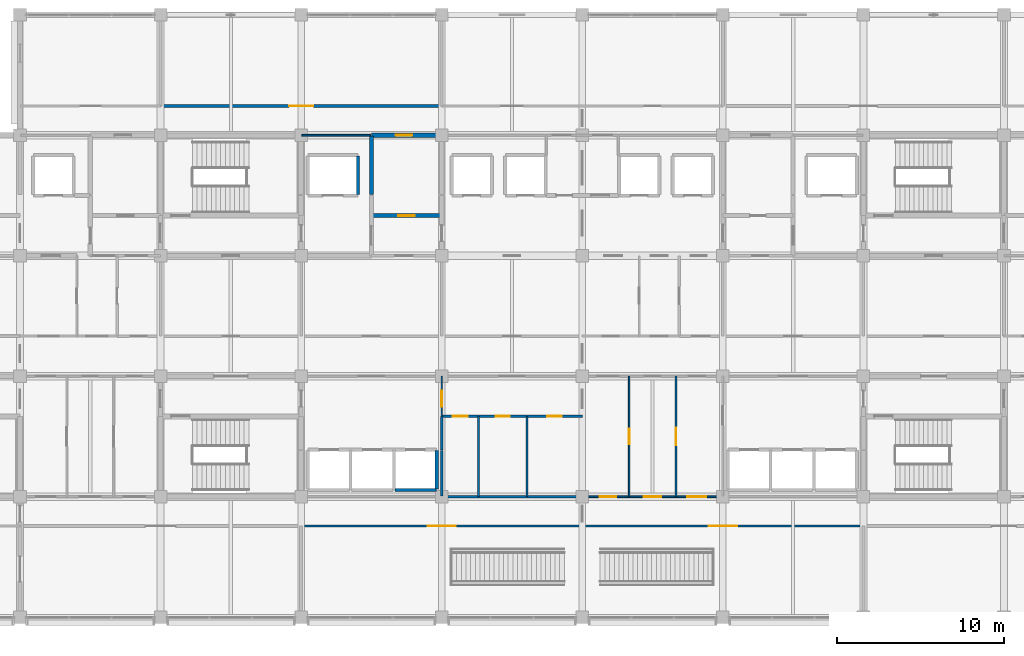
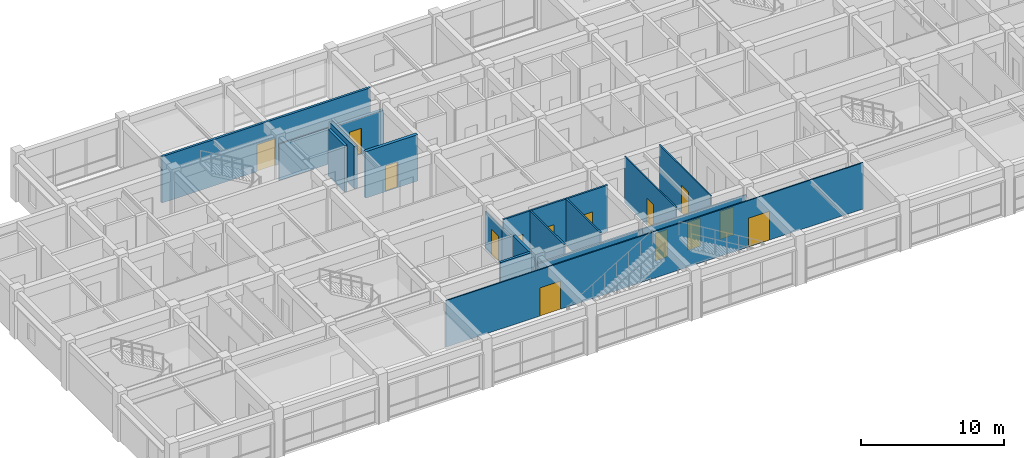
# One storey, part 17 of 27: 19 walls, 14 doors, 14 openings.
"""IFC4 building model written with IfcOpenShell, lengths in metres."""

from ifc_helpers import new_model, si_unit, direction, frame, frame_2d, origin, place, context, subcontext, project, spatial, rectangle, extrude, material, layer, layer_set, type_object, element, fill, save


model = new_model("IFC4")

# Units and contexts
model_context = context("Model", 3, precision=1e-05, world=origin(), true_north=direction((0.0, 1.0)))
body_context = subcontext(model_context, "Body", "Model", "MODEL_VIEW")
ifc_project = project(units=[si_unit("LENGTHUNIT", "METRE"), si_unit("AREAUNIT", "SQUARE_METRE"), si_unit("VOLUMEUNIT", "CUBIC_METRE"), si_unit("PLANEANGLEUNIT", "RADIAN"), si_unit("MASSUNIT", "GRAM", prefix="KILO")], contexts=[model_context])

# Site, building, storey
site_placement = place(None, origin())
site = spatial("IfcSite", under=ifc_project, at=site_placement, CompositionType="ELEMENT")
building_placement = place(site_placement, origin())
building = spatial("IfcBuilding", under=site, at=building_placement, Name="Chengyuan Square Courthouse", CompositionType="ELEMENT")
storey_placement = place(building_placement, frame((0.0, 0.0, 39.300048828125)))
storey = spatial("IfcBuildingStorey", under=building, at=storey_placement, Name="L09", CompositionType="ELEMENT", Elevation=39.300048828125)

# Wall, opening, door
ifc_material_1 = material(Name="Concrete C40", Category="concrete")
ifc_layer_1 = layer(ifc_material_1, 0.25)
ifc_layer_set_1 = layer_set([ifc_layer_1], Name="Concrete C40")
wall_type_1 = type_object("IfcWallType", Name="WL-FW1", PredefinedType="STANDARD", material=ifc_layer_set_1)
wall_1_placement = place(storey_placement, frame((71.39990234375, 103.199951171875, 0.0), z_axis=(0.0, 0.0, 1.0), x_axis=(1.0, 0.0, 0.0)))
wall_1 = element("IfcWall", 1, at=wall_1_placement, inside=storey, type_object=wall_type_1, Name="Interior Wall WL-L09-I3143", PredefinedType="STANDARD", context=body_context, shape_type="SweptSolid", body=[
    extrude(rectangle(XDim=4.2001953125, YDim=0.25, at=frame_2d((2.10009765625, 0.0))), origin(), (0.0, 0.0, 1.0), 3.949951171875),
])
opening_1_placement = place(wall_1_placement, frame((1.60009765625, 0.0, 0.0)))
opening_1 = element("IfcOpeningElement", 2, at=opening_1_placement, cuts=wall_1, Name="Opening DR-2656", PredefinedType="OPENING", context=body_context, shape_type="SweptSolid", body=[
    extrude(rectangle(XDim=1.0, YDim=2.199951171875, at=frame_2d((0.5, 1.10009765625))), frame((0.0, 0.136962890625, 0.0), z_axis=(0.0, -1.0, 0.0), x_axis=(1.0, 0.0, 0.0)), (0.0, 0.0, 1.0), 0.27392578125),
])
ifc_material_2 = material(Name="Steel Q235B Fire Door", Category="steel")
door_type_1 = type_object("IfcDoorType", Name="DT-11", OperationType="NOTDEFINED", PredefinedType="DOOR", material=ifc_material_2)
door_1_placement = place(opening_1_placement, origin())
door_1 = element("IfcDoor", 3, at=door_1_placement, inside=storey, type_object=door_type_1, Name="Interior Door DR-2656", OperationType="SINGLE_SWING_LEFT", OverallHeight=2.199951171875, OverallWidth=1.0, PredefinedType="DOOR", context=body_context, shape_type="SweptSolid", body=[
    extrude(rectangle(XDim=1.0, YDim=2.199951171875, at=frame_2d((0.5, 1.10009765625))), frame((0.0, 0.02490234375, 0.0), z_axis=(0.0, -1.0, 0.0), x_axis=(1.0, 0.0, 0.0)), (0.0, 0.0, 1.0), 0.050048828125),
])
fill(opening_1, door_1)

wall_2_placement = place(storey_placement, frame((71.39990234375, 108.0, 0.0), z_axis=(0.0, 0.0, 1.0), x_axis=(1.0, 0.0, 0.0)))
wall_2 = element("IfcWall", 4, at=wall_2_placement, inside=storey, type_object=wall_type_1, Name="Interior Wall WL-L09-I3175", PredefinedType="STANDARD", context=body_context, shape_type="SweptSolid", body=[
    extrude(rectangle(XDim=4.2001953125, YDim=0.25, at=frame_2d((2.10009765625, 0.0))), origin(), (0.0, 0.0, 1.0), 3.099853515625),
])
opening_2_placement = place(wall_2_placement, frame((1.452392578125, 0.0, 0.0)))
opening_2 = element("IfcOpeningElement", 5, at=opening_2_placement, cuts=wall_2, Name="Opening DR-2659", PredefinedType="OPENING", context=body_context, shape_type="SweptSolid", body=[
    extrude(rectangle(XDim=1.0, YDim=2.199951171875, at=frame_2d((0.5, 1.10009765625))), frame((0.0, 0.136962890625, 0.0), z_axis=(0.0, -1.0, 0.0), x_axis=(1.0, 0.0, 0.0)), (0.0, 0.0, 1.0), 0.27392578125),
])
door_2_placement = place(opening_2_placement, origin())
door_2 = element("IfcDoor", 6, at=door_2_placement, inside=storey, type_object=door_type_1, Name="Interior Door DR-2659", OperationType="SINGLE_SWING_RIGHT", OverallHeight=2.199951171875, OverallWidth=1.0, PredefinedType="DOOR", context=body_context, shape_type="SweptSolid", body=[
    extrude(rectangle(XDim=1.0, YDim=2.199951171875, at=frame_2d((0.5, 1.10009765625))), frame((0.0, 0.02490234375, 0.0), z_axis=(0.0, -1.0, 0.0), x_axis=(1.0, 0.0, 0.0)), (0.0, 0.0, 1.0), 0.050048828125),
])
fill(opening_2, door_2)

# Wall
wall_3_placement = place(storey_placement, frame((71.39990234375, 104.449951171875, 0.0), z_axis=(0.0, 0.0, 1.0), x_axis=(0.0, 1.0, 0.0)))
element("IfcWall", 7, at=wall_3_placement, inside=storey, type_object=wall_type_1, Name="Interior Wall WL-L09-I3224", PredefinedType="STANDARD", context=body_context, shape_type="SweptSolid", body=[
    extrude(rectangle(XDim=3.5, YDim=0.25, at=frame_2d((1.75, 0.0))), origin(), (0.0, 0.0, 1.0), 3.599853515625),
])

# Wall, opening, door
ifc_material_3 = material(Name="Double-Stud Acoustic Gypsum Courtroom Partition")
ifc_layer_2 = layer(ifc_material_3, 0.179931640625)
ifc_layer_set_2 = layer_set([ifc_layer_2], Name="Double-Stud Acoustic Gypsum Courtroom Partition")
wall_type_2 = type_object("IfcWallType", Name="WL-PT1", PredefinedType="STANDARD", material=ifc_layer_set_2)
wall_4_placement = place(storey_placement, frame((58.800048828125, 109.75, 0.0), z_axis=(0.0, 0.0, 1.0), x_axis=(1.0, 0.0, 0.0)))
wall_4 = element("IfcWall", 8, at=wall_4_placement, inside=storey, type_object=wall_type_2, Name="Interior Wall WL-L09-I3185", PredefinedType="STANDARD", context=body_context, shape_type="SweptSolid", body=[
    extrude(rectangle(XDim=16.800048828125, YDim=0.179931640625, at=frame_2d((8.39990234375, 0.0))), origin(), (0.0, 0.0, 1.0), 3.949951171875),
])
opening_3_placement = place(wall_4_placement, frame((7.675048828125, 0.0, 0.0)))
opening_3 = element("IfcOpeningElement", 9, at=opening_3_placement, cuts=wall_4, Name="Opening DR-2755", PredefinedType="OPENING", context=body_context, shape_type="SweptSolid", body=[
    extrude(rectangle(XDim=1.449951171875, YDim=2.300048828125, at=frame_2d((0.72509765625, 1.14990234375))), frame((0.0, 0.10205078125, 0.0), z_axis=(0.0, -1.0, 0.0), x_axis=(1.0, 0.0, 0.0)), (0.0, 0.0, 1.0), 0.203857421875),
])
ifc_material_4 = material(Name="Acoustic Larch Veneer Double Door")
door_type_2 = type_object("IfcDoorType", Name="DT-25", OperationType="DOUBLE_DOOR_SINGLE_SWING", PredefinedType="DOOR", material=ifc_material_4)
door_3_placement = place(opening_3_placement, frame((1.449951171875, 0.0, 0.0), z_axis=(0.0, 0.0, 1.0), x_axis=(-1.0, 0.0, 0.0)))
door_3 = element("IfcDoor", 10, at=door_3_placement, inside=storey, type_object=door_type_2, Name="Interior Door DR-2755", OperationType="DOUBLE_DOOR_SINGLE_SWING", OverallHeight=2.300048828125, OverallWidth=1.449951171875, PredefinedType="DOOR", context=body_context, shape_type="SweptSolid", body=[
    extrude(rectangle(XDim=1.449951171875, YDim=2.300048828125, at=frame_2d((0.72509765625, 1.14990234375))), frame((0.0, 0.02490234375, 0.0), z_axis=(0.0, -1.0, 0.0), x_axis=(1.0, 0.0, 0.0)), (0.0, 0.0, 1.0), 0.050048828125),
])
fill(opening_3, door_3)

# Wall
ifc_material_5 = material(Name="Moisture-Resistant Masonry Wet-Room Partition", Category="masonry")
ifc_layer_3 = layer(ifc_material_5, 0.139892578125)
ifc_layer_set_3 = layer_set([ifc_layer_3], Name="Moisture-Resistant Masonry Wet-Room Partition")
wall_type_3 = type_object("IfcWallType", Name="WL-PT4", PredefinedType="STANDARD", material=ifc_layer_set_3)
wall_5_placement = place(storey_placement, frame((75.60009765625, 86.39990234375, 0.0), z_axis=(0.0, 0.0, 1.0), x_axis=(1.0, 0.0, 0.0)))
element("IfcWall", 11, at=wall_5_placement, inside=storey, type_object=wall_type_3, Name="Interior Wall WL-L09-I3093", PredefinedType="STANDARD", context=body_context, shape_type="SweptSolid", body=[
    extrude(rectangle(XDim=8.39990234375, YDim=0.139892578125, at=frame_2d((4.199951171875, 0.0))), origin(), (0.0, 0.0, 1.0), 3.099853515625),
])

# Wall, openings, doors
wall_6_placement = place(storey_placement, frame((75.60009765625, 91.199951171875, 0.0), z_axis=(0.0, 0.0, 1.0), x_axis=(1.0, 0.0, 0.0)))
wall_6 = element("IfcWall", 12, at=wall_6_placement, inside=storey, type_object=wall_type_3, Name="Interior Wall WL-L09-I3109", PredefinedType="STANDARD", context=body_context, shape_type="SweptSolid", body=[
    extrude(rectangle(XDim=8.39990234375, YDim=0.139892578125, at=frame_2d((4.199951171875, 0.0))), origin(), (0.0, 0.0, 1.0), 3.949951171875),
])
opening_4_placement = place(wall_6_placement, frame((0.64990234375, 0.0, 0.0)))
opening_4 = element("IfcOpeningElement", 13, at=opening_4_placement, cuts=wall_6, Name="Opening DR-2696", PredefinedType="OPENING", context=body_context, shape_type="SweptSolid", body=[
    extrude(rectangle(XDim=0.89990234375, YDim=2.14990234375, at=frame_2d((0.449951171875, 1.074951171875))), frame((0.0, 0.08203125, 0.0), z_axis=(0.0, -1.0, 0.0), x_axis=(1.0, 0.0, 0.0)), (0.0, 0.0, 1.0), 0.163818359375),
])
opening_5_placement = place(wall_6_placement, frame((3.219970703125, 0.0, 0.0)))
opening_5 = element("IfcOpeningElement", 14, at=opening_5_placement, cuts=wall_6, Name="Opening DR-2697", PredefinedType="OPENING", context=body_context, shape_type="SweptSolid", body=[
    extrude(rectangle(XDim=0.860107421875, YDim=2.10009765625, at=frame_2d((0.43017578125, 1.050048828125))), frame((0.0, 0.08203125, 0.0), z_axis=(0.0, -1.0, 0.0), x_axis=(1.0, 0.0, 0.0)), (0.0, 0.0, 1.0), 0.163818359375),
])
opening_6_placement = place(wall_6_placement, frame((6.320068359375, 0.0, 0.0)))
opening_6 = element("IfcOpeningElement", 15, at=opening_6_placement, cuts=wall_6, Name="Opening DR-2698", PredefinedType="OPENING", context=body_context, shape_type="SweptSolid", body=[
    extrude(rectangle(XDim=0.860107421875, YDim=2.10009765625, at=frame_2d((0.43017578125, 1.050048828125))), frame((0.0, 0.08203125, 0.0), z_axis=(0.0, -1.0, 0.0), x_axis=(1.0, 0.0, 0.0)), (0.0, 0.0, 1.0), 0.163818359375),
])
ifc_material_6 = material(Name="Acoustic Solid-Core Timber Door", Category="wood")
door_type_3 = type_object("IfcDoorType", Name="DT-27", OperationType="NOTDEFINED", PredefinedType="DOOR", material=ifc_material_6)
door_4_placement = place(opening_4_placement, origin())
door_4 = element("IfcDoor", 16, at=door_4_placement, inside=storey, type_object=door_type_3, Name="Interior Door DR-2696", OperationType="SINGLE_SWING_RIGHT", OverallHeight=2.14990234375, OverallWidth=0.89990234375, PredefinedType="DOOR", context=body_context, shape_type="SweptSolid", body=[
    extrude(rectangle(XDim=0.89990234375, YDim=2.14990234375, at=frame_2d((0.449951171875, 1.074951171875))), frame((0.0, 0.02490234375, 0.0), z_axis=(0.0, -1.0, 0.0), x_axis=(1.0, 0.0, 0.0)), (0.0, 0.0, 1.0), 0.050048828125),
])
fill(opening_4, door_4)
door_type_4 = type_object("IfcDoorType", Name="DT-28", OperationType="NOTDEFINED", PredefinedType="DOOR", material=ifc_material_6)
door_5_placement = place(opening_5_placement, origin())
door_5 = element("IfcDoor", 17, at=door_5_placement, inside=storey, type_object=door_type_4, Name="Interior Door DR-2697", OperationType="SINGLE_SWING_LEFT", OverallHeight=2.10009765625, OverallWidth=0.860107421875, PredefinedType="DOOR", context=body_context, shape_type="SweptSolid", body=[
    extrude(rectangle(XDim=0.860107421875, YDim=2.10009765625, at=frame_2d((0.43017578125, 1.050048828125))), frame((0.0, 0.02490234375, 0.0), z_axis=(0.0, -1.0, 0.0), x_axis=(1.0, 0.0, 0.0)), (0.0, 0.0, 1.0), 0.050048828125),
])
fill(opening_5, door_5)
door_6_placement = place(opening_6_placement, origin())
door_6 = element("IfcDoor", 18, at=door_6_placement, inside=storey, type_object=door_type_4, Name="Interior Door DR-2698", OperationType="SINGLE_SWING_RIGHT", OverallHeight=2.10009765625, OverallWidth=0.860107421875, PredefinedType="DOOR", context=body_context, shape_type="SweptSolid", body=[
    extrude(rectangle(XDim=0.860107421875, YDim=2.10009765625, at=frame_2d((0.43017578125, 1.050048828125))), frame((0.0, 0.02490234375, 0.0), z_axis=(0.0, -1.0, 0.0), x_axis=(1.0, 0.0, 0.0)), (0.0, 0.0, 1.0), 0.050048828125),
])
fill(opening_6, door_6)

# Walls
wall_7_placement = place(storey_placement, frame((75.60009765625, 86.449951171875, 0.0), z_axis=(0.0, 0.0, 1.0), x_axis=(0.0, 1.0, 0.0)))
element("IfcWall", 19, at=wall_7_placement, inside=storey, type_object=wall_type_3, Name="Interior Wall WL-L09-I3227", PredefinedType="STANDARD", context=body_context, shape_type="SweptSolid", body=[
    extrude(rectangle(XDim=2.699951171875, YDim=0.139892578125, at=frame_2d((1.35009765625, 0.0))), origin(), (0.0, 0.0, 1.0), 3.199951171875),
])
wall_8_placement = place(storey_placement, frame((75.60009765625, 89.199951171875, 0.0), z_axis=(0.0, 0.0, 1.0), x_axis=(0.0, 1.0, 0.0)))
element("IfcWall", 20, at=wall_8_placement, inside=storey, type_object=wall_type_3, Name="Interior Wall WL-L09-I3228", PredefinedType="STANDARD", context=body_context, shape_type="SweptSolid", body=[
    extrude(rectangle(XDim=2.0, YDim=0.139892578125, at=frame_2d((1.0, 0.0))), origin(), (0.0, 0.0, 1.0), 3.199951171875),
])
for number, where, z_axis, x_axis, name in (
    (21, (77.800048828125, 86.39990234375, 0.0), (0.0, 0.0, 1.0), (0.0, 1.0, 0.0), "Interior Wall WL-L09-I3235"),
    (22, (80.699951171875, 86.39990234375, 0.0), (0.0, 0.0, 1.0), (0.0, 1.0, 0.0), "Interior Wall WL-L09-I3238"),
):
    element("IfcWall", number, at=place(storey_placement, frame(where, z_axis=z_axis, x_axis=x_axis)), inside=storey, type_object=wall_type_3, Name=name, PredefinedType="STANDARD", context=body_context, shape_type="SweptSolid", body=[
        extrude(rectangle(XDim=4.800048828125, YDim=0.139892578125, at=frame_2d((2.39990234375, 0.0))), origin(), (0.0, 0.0, 1.0), 3.949951171875),
    ])

# Wall, openings, doors
ifc_material_7 = material(Name="Gypsum Plasterboard Acoustic Stud Partition")
ifc_layer_4 = layer(ifc_material_7, 0.10009765625)
ifc_layer_set_4 = layer_set([ifc_layer_4], Name="Gypsum Plasterboard Acoustic Stud Partition")
wall_type_4 = type_object("IfcWallType", Name="WL-PT6", PredefinedType="STANDARD", material=ifc_layer_set_4)
wall_9_placement = place(storey_placement, frame((67.199951171875, 84.64990234375, 0.0), z_axis=(0.0, 0.0, 1.0), x_axis=(1.0, 0.0, 0.0)))
wall_9 = element("IfcWall", 23, at=wall_9_placement, inside=storey, type_object=wall_type_4, Name="Interior Wall WL-L09-I3086", PredefinedType="STANDARD", context=body_context, shape_type="SweptSolid", body=[
    extrude(rectangle(XDim=33.60009765625, YDim=0.10009765625, at=frame_2d((16.800048828125, 0.0))), origin(), (0.0, 0.0, 1.0), 3.949951171875),
])
opening_7_placement = place(wall_9_placement, frame((7.574951171875, 0.0, 0.0)))
opening_7 = element("IfcOpeningElement", 24, at=opening_7_placement, cuts=wall_9, Name="Opening DR-2764", PredefinedType="OPENING", context=body_context, shape_type="SweptSolid", body=[
    extrude(rectangle(XDim=1.64990234375, YDim=2.39990234375, at=frame_2d((0.824951171875, 1.199951171875))), frame((0.0, 0.06201171875, 0.0), z_axis=(0.0, -1.0, 0.0), x_axis=(1.0, 0.0, 0.0)), (0.0, 0.0, 1.0), 0.1240234375),
])
opening_8_placement = place(wall_9_placement, frame((24.35009765625, 0.0, 0.0)))
opening_8 = element("IfcOpeningElement", 25, at=opening_8_placement, cuts=wall_9, Name="Opening DR-2766", PredefinedType="OPENING", context=body_context, shape_type="SweptSolid", body=[
    extrude(rectangle(XDim=1.699951171875, YDim=2.449951171875, at=frame_2d((0.85009765625, 1.22509765625))), frame((0.0, 0.06201171875, 0.0), z_axis=(0.0, -1.0, 0.0), x_axis=(1.0, 0.0, 0.0)), (0.0, 0.0, 1.0), 0.1240234375),
])
door_type_5 = type_object("IfcDoorType", Name="DT-22", OperationType="DOUBLE_DOOR_SINGLE_SWING", PredefinedType="DOOR", material=ifc_material_4)
door_7_placement = place(opening_7_placement, frame((1.64990234375, 0.0, 0.0), z_axis=(0.0, 0.0, 1.0), x_axis=(-1.0, 0.0, 0.0)))
door_7 = element("IfcDoor", 26, at=door_7_placement, inside=storey, type_object=door_type_5, Name="Interior Door DR-2764", OperationType="DOUBLE_DOOR_SINGLE_SWING", OverallHeight=2.39990234375, OverallWidth=1.64990234375, PredefinedType="DOOR", context=body_context, shape_type="SweptSolid", body=[
    extrude(rectangle(XDim=1.64990234375, YDim=2.39990234375, at=frame_2d((0.824951171875, 1.199951171875))), frame((0.0, 0.02490234375, 0.0), z_axis=(0.0, -1.0, 0.0), x_axis=(1.0, 0.0, 0.0)), (0.0, 0.0, 1.0), 0.050048828125),
])
fill(opening_7, door_7)
door_type_6 = type_object("IfcDoorType", Name="DT-24", OperationType="DOUBLE_DOOR_SINGLE_SWING", PredefinedType="DOOR", material=ifc_material_4)
door_8_placement = place(opening_8_placement, frame((1.699951171875, 0.0, 0.0), z_axis=(0.0, 0.0, 1.0), x_axis=(-1.0, 0.0, 0.0)))
door_8 = element("IfcDoor", 27, at=door_8_placement, inside=storey, type_object=door_type_6, Name="Interior Door DR-2766", OperationType="DOUBLE_DOOR_SINGLE_SWING", OverallHeight=2.449951171875, OverallWidth=1.699951171875, PredefinedType="DOOR", context=body_context, shape_type="SweptSolid", body=[
    extrude(rectangle(XDim=1.699951171875, YDim=2.449951171875, at=frame_2d((0.85009765625, 1.22509765625))), frame((0.0, 0.02490234375, 0.0), z_axis=(0.0, -1.0, 0.0), x_axis=(1.0, 0.0, 0.0)), (0.0, 0.0, 1.0), 0.050048828125),
])
fill(opening_8, door_8)

wall_10_placement = place(storey_placement, frame((84.0, 86.39990234375, 0.0), z_axis=(0.0, 0.0, 1.0), x_axis=(1.0, 0.0, 0.0)))
wall_10 = element("IfcWall", 28, at=wall_10_placement, inside=storey, type_object=wall_type_4, Name="Interior Wall WL-L09-I3094", PredefinedType="STANDARD", context=body_context, shape_type="SweptSolid", body=[
    extrude(rectangle(XDim=8.39990234375, YDim=0.10009765625, at=frame_2d((4.199951171875, 0.0))), origin(), (0.0, 0.0, 1.0), 3.099853515625),
])
opening_9_placement = place(wall_10_placement, frame((1.0576171875, 0.0, 0.0)))
opening_9 = element("IfcOpeningElement", 29, at=opening_9_placement, cuts=wall_10, Name="Opening DR-2741", PredefinedType="OPENING", context=body_context, shape_type="SweptSolid", body=[
    extrude(rectangle(XDim=0.97998046875, YDim=2.35009765625, at=frame_2d((0.489990234375, 1.175048828125))), frame((0.0, 0.06201171875, 0.0), z_axis=(0.0, -1.0, 0.0), x_axis=(1.0, 0.0, 0.0)), (0.0, 0.0, 1.0), 0.1240234375),
])
opening_10_placement = place(wall_10_placement, frame((3.669921875, 0.0, 0.0)))
opening_10 = element("IfcOpeningElement", 30, at=opening_10_placement, cuts=wall_10, Name="Opening DR-2743", PredefinedType="OPENING", context=body_context, shape_type="SweptSolid", body=[
    extrude(rectangle(XDim=1.06005859375, YDim=2.39990234375, at=frame_2d((0.530029296875, 1.199951171875))), frame((0.0, 0.06201171875, 0.0), z_axis=(0.0, -1.0, 0.0), x_axis=(1.0, 0.0, 0.0)), (0.0, 0.0, 1.0), 0.1240234375),
])
opening_11_placement = place(wall_10_placement, frame((6.282470703125, 0.0, 0.0)))
opening_11 = element("IfcOpeningElement", 31, at=opening_11_placement, cuts=wall_10, Name="Opening DR-2744", PredefinedType="OPENING", context=body_context, shape_type="SweptSolid", body=[
    extrude(rectangle(XDim=1.139892578125, YDim=2.39990234375, at=frame_2d((0.56982421875, 1.199951171875))), frame((0.0, 0.06201171875, 0.0), z_axis=(0.0, -1.0, 0.0), x_axis=(1.0, 0.0, 0.0)), (0.0, 0.0, 1.0), 0.1240234375),
])
door_type_7 = type_object("IfcDoorType", Name="DT-40", OperationType="NOTDEFINED", PredefinedType="DOOR", material=ifc_material_6)
door_9_placement = place(opening_9_placement, origin())
door_9 = element("IfcDoor", 32, at=door_9_placement, inside=storey, type_object=door_type_7, Name="Interior Door DR-2741", OperationType="SINGLE_SWING_RIGHT", OverallHeight=2.35009765625, OverallWidth=0.97998046875, PredefinedType="DOOR", context=body_context, shape_type="SweptSolid", body=[
    extrude(rectangle(XDim=0.97998046875, YDim=2.35009765625, at=frame_2d((0.489990234375, 1.175048828125))), frame((0.0, 0.02490234375, 0.0), z_axis=(0.0, -1.0, 0.0), x_axis=(1.0, 0.0, 0.0)), (0.0, 0.0, 1.0), 0.050048828125),
])
fill(opening_9, door_9)
door_type_8 = type_object("IfcDoorType", Name="DT-42", OperationType="NOTDEFINED", PredefinedType="DOOR", material=ifc_material_6)
door_10_placement = place(opening_10_placement, origin())
door_10 = element("IfcDoor", 33, at=door_10_placement, inside=storey, type_object=door_type_8, Name="Interior Door DR-2743", OperationType="SINGLE_SWING_RIGHT", OverallHeight=2.39990234375, OverallWidth=1.06005859375, PredefinedType="DOOR", context=body_context, shape_type="SweptSolid", body=[
    extrude(rectangle(XDim=1.06005859375, YDim=2.39990234375, at=frame_2d((0.530029296875, 1.199951171875))), frame((0.0, 0.02490234375, 0.0), z_axis=(0.0, -1.0, 0.0), x_axis=(1.0, 0.0, 0.0)), (0.0, 0.0, 1.0), 0.050048828125),
])
fill(opening_10, door_10)
door_type_9 = type_object("IfcDoorType", Name="DT-43", OperationType="NOTDEFINED", PredefinedType="DOOR", material=ifc_material_6)
door_11_placement = place(opening_11_placement, origin())
door_11 = element("IfcDoor", 34, at=door_11_placement, inside=storey, type_object=door_type_9, Name="Interior Door DR-2744", OperationType="SINGLE_SWING_LEFT", OverallHeight=2.39990234375, OverallWidth=1.139892578125, PredefinedType="DOOR", context=body_context, shape_type="SweptSolid", body=[
    extrude(rectangle(XDim=1.139892578125, YDim=2.39990234375, at=frame_2d((0.56982421875, 1.199951171875))), frame((0.0, 0.02490234375, 0.0), z_axis=(0.0, -1.0, 0.0), x_axis=(1.0, 0.0, 0.0)), (0.0, 0.0, 1.0), 0.050048828125),
])
fill(opening_11, door_11)

# Wall
wall_11_placement = place(storey_placement, frame((67.25, 108.0, 0.0), z_axis=(0.0, 0.0, 1.0), x_axis=(1.0, 0.0, 0.0)))
element("IfcWall", 35, at=wall_11_placement, inside=storey, type_object=wall_type_4, Name="Interior Wall WL-L09-I3174", PredefinedType="STANDARD", context=body_context, shape_type="SweptSolid", body=[
    extrude(rectangle(XDim=4.10009765625, YDim=0.10009765625, at=frame_2d((2.050048828125, 0.0))), origin(), (0.0, 0.0, 1.0), 3.099853515625),
])

# Wall, opening, door
wall_12_placement = place(storey_placement, frame((75.60009765625, 91.199951171875, 0.0), z_axis=(0.0, 0.0, 1.0), x_axis=(0.0, 1.0, 0.0)))
wall_12 = element("IfcWall", 36, at=wall_12_placement, inside=storey, type_object=wall_type_4, Name="Interior Wall WL-L09-I3229", PredefinedType="STANDARD", context=body_context, shape_type="SweptSolid", body=[
    extrude(rectangle(XDim=2.400146484375, YDim=0.10009765625, at=frame_2d((1.2001953125, 0.0))), origin(), (0.0, 0.0, 1.0), 3.199951171875),
])
opening_12_placement = place(wall_12_placement, frame((0.572509765625, 0.0, 0.0)))
opening_12 = element("IfcOpeningElement", 37, at=opening_12_placement, cuts=wall_12, Name="Opening DR-2680", PredefinedType="OPENING", context=body_context, shape_type="SweptSolid", body=[
    extrude(rectangle(XDim=0.9599609375, YDim=2.199951171875, at=frame_2d((0.47998046875, 1.10009765625))), frame((0.0, 0.06201171875, 0.0), z_axis=(0.0, -1.0, 0.0), x_axis=(1.0, 0.0, 0.0)), (0.0, 0.0, 1.0), 0.1240234375),
])
door_type_10 = type_object("IfcDoorType", Name="DT-30", OperationType="NOTDEFINED", PredefinedType="DOOR", material=ifc_material_6)
door_12_placement = place(opening_12_placement, origin())
door_12 = element("IfcDoor", 38, at=door_12_placement, inside=storey, type_object=door_type_10, Name="Interior Door DR-2680", OperationType="SINGLE_SWING_RIGHT", OverallHeight=2.199951171875, OverallWidth=0.9599609375, PredefinedType="DOOR", context=body_context, shape_type="SweptSolid", body=[
    extrude(rectangle(XDim=0.9599609375, YDim=2.199951171875, at=frame_2d((0.47998046875, 1.10009765625))), frame((0.0, 0.02490234375, 0.0), z_axis=(0.0, -1.0, 0.0), x_axis=(1.0, 0.0, 0.0)), (0.0, 0.0, 1.0), 0.050048828125),
])
fill(opening_12, door_12)

wall_13_placement = place(storey_placement, frame((86.800048828125, 86.39990234375, 0.0), z_axis=(0.0, 0.0, 1.0), x_axis=(0.0, 1.0, 0.0)))
wall_13 = element("IfcWall", 39, at=wall_13_placement, inside=storey, type_object=wall_type_4, Name="Interior Wall WL-L09-I3244", PredefinedType="STANDARD", context=body_context, shape_type="SweptSolid", body=[
    extrude(rectangle(XDim=7.2001953125, YDim=0.10009765625, at=frame_2d((3.60009765625, 0.0))), origin(), (0.0, 0.0, 1.0), 3.949951171875),
])
opening_13_placement = place(wall_13_placement, frame((3.1298828125, 0.0, 0.0)))
opening_13 = element("IfcOpeningElement", 40, at=opening_13_placement, cuts=wall_13, Name="Opening DR-2740", PredefinedType="OPENING", context=body_context, shape_type="SweptSolid", body=[
    extrude(rectangle(XDim=0.93994140625, YDim=2.300048828125, at=frame_2d((0.469970703125, 1.14990234375))), frame((0.0, 0.06201171875, 0.0), z_axis=(0.0, -1.0, 0.0), x_axis=(1.0, 0.0, 0.0)), (0.0, 0.0, 1.0), 0.1240234375),
])
door_type_11 = type_object("IfcDoorType", Name="DT-39", OperationType="NOTDEFINED", PredefinedType="DOOR", material=ifc_material_6)
door_13_placement = place(opening_13_placement, origin())
door_13 = element("IfcDoor", 41, at=door_13_placement, inside=storey, type_object=door_type_11, Name="Interior Door DR-2740", OperationType="SINGLE_SWING_LEFT", OverallHeight=2.300048828125, OverallWidth=0.93994140625, PredefinedType="DOOR", context=body_context, shape_type="SweptSolid", body=[
    extrude(rectangle(XDim=0.93994140625, YDim=2.300048828125, at=frame_2d((0.469970703125, 1.14990234375))), frame((0.0, 0.02490234375, 0.0), z_axis=(0.0, -1.0, 0.0), x_axis=(1.0, 0.0, 0.0)), (0.0, 0.0, 1.0), 0.050048828125),
])
fill(opening_13, door_13)

wall_14_placement = place(storey_placement, frame((89.60009765625, 86.39990234375, 0.0), z_axis=(0.0, 0.0, 1.0), x_axis=(0.0, 1.0, 0.0)))
wall_14 = element("IfcWall", 42, at=wall_14_placement, inside=storey, type_object=wall_type_4, Name="Interior Wall WL-L09-I3248", PredefinedType="STANDARD", context=body_context, shape_type="SweptSolid", body=[
    extrude(rectangle(XDim=7.2001953125, YDim=0.10009765625, at=frame_2d((3.60009765625, 0.0))), origin(), (0.0, 0.0, 1.0), 3.949951171875),
])
opening_14_placement = place(wall_14_placement, frame((3.090087890625, 0.0, 0.0)))
opening_14 = element("IfcOpeningElement", 43, at=opening_14_placement, cuts=wall_14, Name="Opening DR-2742", PredefinedType="OPENING", context=body_context, shape_type="SweptSolid", body=[
    extrude(rectangle(XDim=1.02001953125, YDim=2.39990234375, at=frame_2d((0.510009765625, 1.199951171875))), frame((0.0, 0.06201171875, 0.0), z_axis=(0.0, -1.0, 0.0), x_axis=(1.0, 0.0, 0.0)), (0.0, 0.0, 1.0), 0.1240234375),
])
door_type_12 = type_object("IfcDoorType", Name="DT-41", OperationType="NOTDEFINED", PredefinedType="DOOR", material=ifc_material_6)
door_14_placement = place(opening_14_placement, origin())
door_14 = element("IfcDoor", 44, at=door_14_placement, inside=storey, type_object=door_type_12, Name="Interior Door DR-2742", OperationType="SINGLE_SWING_LEFT", OverallHeight=2.39990234375, OverallWidth=1.02001953125, PredefinedType="DOOR", context=body_context, shape_type="SweptSolid", body=[
    extrude(rectangle(XDim=1.02001953125, YDim=2.39990234375, at=frame_2d((0.510009765625, 1.199951171875))), frame((0.0, 0.02490234375, 0.0), z_axis=(0.0, -1.0, 0.0), x_axis=(1.0, 0.0, 0.0)), (0.0, 0.0, 1.0), 0.050048828125),
])
fill(opening_14, door_14)

# Walls
ifc_material_8 = material(Name="Reinforced Masonry Shaft Enclosure", Category="masonry")
ifc_layer_5 = layer(ifc_material_8, 0.199951171875)
ifc_layer_set_5 = layer_set([ifc_layer_5], Name="Reinforced Masonry Shaft Enclosure")
wall_type_5 = type_object("IfcWallType", Name="WL-SH1", PredefinedType="STANDARD", material=ifc_layer_set_5)
wall_15_placement = place(storey_placement, frame((72.800048828125, 86.800048828125, 0.0), z_axis=(0.0, 0.0, 1.0), x_axis=(1.0, 0.0, 0.0)))
element("IfcWall", 45, at=wall_15_placement, inside=storey, type_object=wall_type_5, Name="Interior Wall WL-L09-I3101", PredefinedType="STANDARD", context=body_context, shape_type="SweptSolid", body=[
    extrude(rectangle(XDim=2.5, YDim=0.199951171875, at=frame_2d((1.25, 0.0))), origin(), (0.0, 0.0, 1.0), 3.949951171875),
])
wall_16_placement = place(storey_placement, frame((70.60009765625, 104.449951171875, 0.0), z_axis=(0.0, 0.0, 1.0), x_axis=(0.0, 1.0, 0.0)))
element("IfcWall", 46, at=wall_16_placement, inside=storey, type_object=wall_type_5, Name="Interior Wall WL-L09-I3222", PredefinedType="STANDARD", context=body_context, shape_type="SweptSolid", body=[
    extrude(rectangle(XDim=2.300048828125, YDim=0.199951171875, at=frame_2d((1.14990234375, 0.0))), origin(), (0.0, 0.0, 1.0), 3.949951171875),
])
wall_17_placement = place(storey_placement, frame((75.300048828125, 86.85009765625, 0.0), z_axis=(0.0, 0.0, 1.0), x_axis=(0.0, 1.0, 0.0)))
element("IfcWall", 47, at=wall_17_placement, inside=storey, type_object=wall_type_5, Name="Interior Wall WL-L09-I3226", PredefinedType="STANDARD", context=body_context, shape_type="SweptSolid", body=[
    extrude(rectangle(XDim=2.2998046875, YDim=0.199951171875, at=frame_2d((1.14990234375, 0.0))), origin(), (0.0, 0.0, 1.0), 3.949951171875),
])

save(model, "model.ifc")
